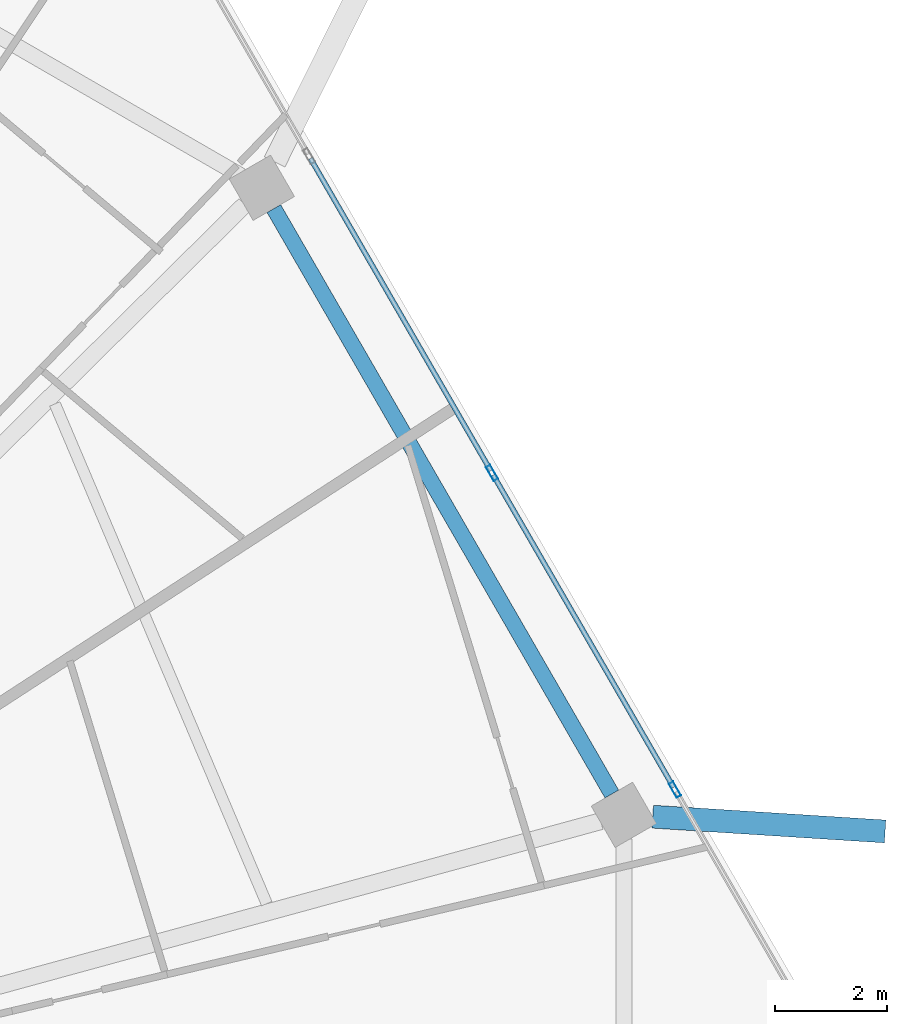
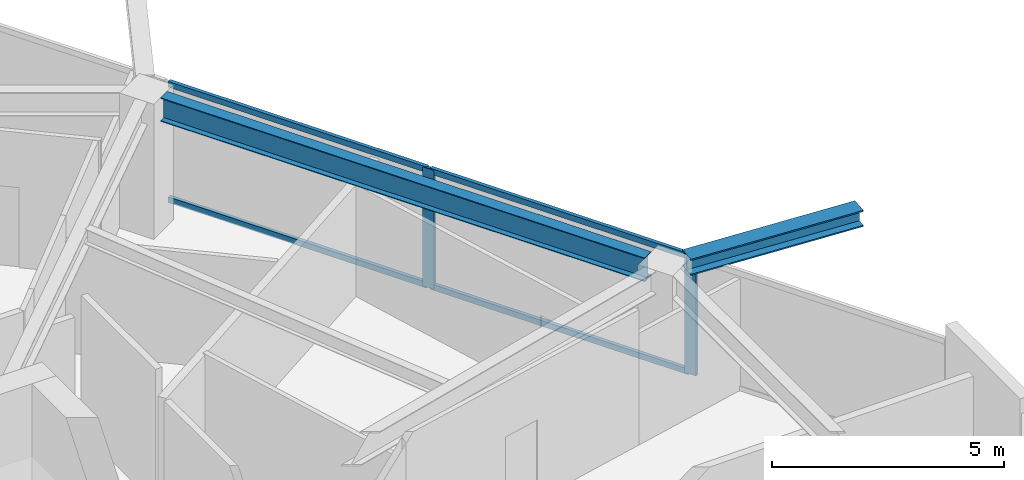
# One storey, part 16 of 26: 6 members, 2 beams, 1 element without a shape of its own.
"""IFC4 building model written with IfcOpenShell, lengths in metres."""

from ifc_helpers import new_model, si_unit, direction, frame, origin, origin_2d, place, context, subcontext, project, spatial, hollow_rectangle, i_section, extrude, material, material_profile, profile_set, type_object, element, aggregate, save


model = new_model("IFC4")

# Units and contexts
model_context = context("Model", 3, precision=1e-05, world=origin(), true_north=direction((0.0, 1.0)))
body_context = subcontext(model_context, "Body", "Model", "MODEL_VIEW")
ifc_project = project(units=[si_unit("LENGTHUNIT", "METRE"), si_unit("AREAUNIT", "SQUARE_METRE"), si_unit("VOLUMEUNIT", "CUBIC_METRE"), si_unit("PLANEANGLEUNIT", "RADIAN"), si_unit("MASSUNIT", "GRAM", prefix="KILO")], contexts=[model_context])

# Site, building, storey
site_placement = place(None, origin())
site = spatial("IfcSite", under=ifc_project, at=site_placement, CompositionType="ELEMENT")
building_placement = place(site_placement, origin())
building = spatial("IfcBuilding", under=site, at=building_placement, Name="Zuhravey Tower", CompositionType="ELEMENT")
storey_placement = place(building_placement, frame((0.0, 0.0, 288.199951171875)))
storey = spatial("IfcBuildingStorey", under=building, at=storey_placement, Name="L73", CompositionType="ELEMENT", Elevation=288.199951171875)

# Curtain wall, members
ifc_material_1 = material(Name="Thermally broken anodised aluminium", Category="aluminium")
curtain_wall_type = type_object("IfcCurtainWallType", Name="Zone 3-4 High-Rise Curtain Wall CW4", PredefinedType="NOTDEFINED", material=ifc_material_1)
curtain_wall_placement = place(storey_placement, origin())
curtain_wall = element("IfcCurtainWall", 1, at=curtain_wall_placement, inside=storey, type_object=curtain_wall_type, Name="L73 CW4 CW-L73-F1-1", PredefinedType="NOTDEFINED")
ifc_material_2 = material(Name="Anodised aluminium", Category="aluminium")
ifc_material_profile_1 = material_profile(ifc_material_2, hollow_rectangle(XDim=0.090087890625, YDim=0.284912109375, WallThickness=0.0048828125, at=origin_2d()), Name="ALU-RHS-90x285x5")
ifc_profile_set_1 = profile_set([ifc_material_profile_1], Name="Anodised aluminium")
member_type_1 = type_object("IfcMemberType", Name="Curtain-Wall Mullion 90x180", PredefinedType="MULLION", material=ifc_profile_set_1)
member_1_placement = place(storey_placement, frame((58.138671875, 44.78173828125, 0.0), z_axis=(0.0, 0.0, 1.0), x_axis=(0.866024851021, 0.500000957414, 0.0)))
member_1 = element("IfcMember", 2, at=member_1_placement, type_object=member_type_1, Name="CW4 mullion 3", PredefinedType="MULLION", context=body_context, shape_type="SweptSolid", body=[
    extrude(hollow_rectangle(XDim=0.090087890625, YDim=0.284912109375, WallThickness=0.0048828125, at=origin_2d()), origin(), (0.0, 0.0, 1.0), 3.1220703125),
])
member_2_placement = place(storey_placement, frame((61.391845703125, 39.147216796875, 0.0), z_axis=(0.0, 0.0, 1.0), x_axis=(0.866024851021, 0.500000957414, 0.0)))
member_2 = element("IfcMember", 3, at=member_2_placement, type_object=member_type_1, Name="CW4 mullion 4", PredefinedType="MULLION", context=body_context, shape_type="SweptSolid", body=[
    extrude(hollow_rectangle(XDim=0.090087890625, YDim=0.284912109375, WallThickness=0.0048828125, at=origin_2d()), origin(), (0.0, 0.0, 1.0), 3.1220703125),
])
ifc_material_profile_2 = material_profile(ifc_material_2, hollow_rectangle(XDim=0.090087890625, YDim=0.14990234375, WallThickness=0.0048828125, at=origin_2d()), Name="ALU-RHS-90x150x5")
ifc_profile_set_2 = profile_set([ifc_material_profile_2], Name="Anodised aluminium")
member_type_2 = type_object("IfcMemberType", Name="Curtain-Wall Transom 90x150", PredefinedType="USERDEFINED", material=ifc_profile_set_2)
member_3_placement = place(storey_placement, frame((54.907958984375, 50.37744140625, 0.045166015625), z_axis=(0.500014493347, -0.866017035885, 0.0), x_axis=(0.866017035885, 0.500014493347, 0.0)))
member_3 = element("IfcMember", 4, at=member_3_placement, type_object=member_type_2, Name="CW4 transom 2.1", ObjectType="TRANSOM", PredefinedType="USERDEFINED", context=body_context, shape_type="SweptSolid", body=[
    extrude(hollow_rectangle(XDim=0.090087890625, YDim=0.14990234375, WallThickness=0.0048828125, at=origin_2d()), origin(), (0.0, 0.0, 1.0), 6.416259765625),
])
member_4_placement = place(storey_placement, frame((54.907958984375, 50.37744140625, 3.0771484375), z_axis=(0.500014493347, -0.866017035885, 0.0), x_axis=(0.866017035885, 0.500014493347, 0.0)))
member_4 = element("IfcMember", 5, at=member_4_placement, type_object=member_type_2, Name="CW4 transom 2.2", ObjectType="TRANSOM", PredefinedType="USERDEFINED", context=body_context, shape_type="SweptSolid", body=[
    extrude(hollow_rectangle(XDim=0.090087890625, YDim=0.14990234375, WallThickness=0.0048828125, at=origin_2d()), origin(), (0.0, 0.0, 1.0), 6.416259765625),
])
member_5_placement = place(storey_placement, frame((58.1611328125, 44.742919921875, 0.045166015625), z_axis=(0.499998017366, -0.866026548456, 0.0), x_axis=(0.866026548456, 0.499998017366, 0.0)))
member_5 = element("IfcMember", 6, at=member_5_placement, type_object=member_type_2, Name="CW4 transom 3.1", ObjectType="TRANSOM", PredefinedType="USERDEFINED", context=body_context, shape_type="SweptSolid", body=[
    extrude(hollow_rectangle(XDim=0.090087890625, YDim=0.14990234375, WallThickness=0.0048828125, at=origin_2d()), origin(), (0.0, 0.0, 1.0), 6.41650390625),
])
member_6_placement = place(storey_placement, frame((58.1611328125, 44.742919921875, 3.0771484375), z_axis=(0.499998017366, -0.866026548456, 0.0), x_axis=(0.866026548456, 0.499998017366, 0.0)))
member_6 = element("IfcMember", 7, at=member_6_placement, type_object=member_type_2, Name="CW4 transom 3.2", ObjectType="TRANSOM", PredefinedType="USERDEFINED", context=body_context, shape_type="SweptSolid", body=[
    extrude(hollow_rectangle(XDim=0.090087890625, YDim=0.14990234375, WallThickness=0.0048828125, at=origin_2d()), origin(), (0.0, 0.0, 1.0), 6.41650390625),
])
aggregate(curtain_wall, [member_1, member_2, member_3, member_4, member_5, member_6])

# Beams
ifc_material_3 = material(Name="Steel SM460", Category="steel")
ifc_material_profile_3 = material_profile(ifc_material_3, i_section(OverallWidth=0.406982421875, OverallDepth=0.427978515625, WebThickness=0.02001953125, FlangeThickness=0.034912109375, at=origin_2d()), Name="H-428x407x20x35")
ifc_profile_set_3 = profile_set([ifc_material_profile_3], Name="Steel SM460")
beam_type_1 = type_object("IfcBeamType", Name="Exoskeleton Node Tie Beam H428x407", PredefinedType="BEAM", material=ifc_profile_set_3)
beam_1_placement = place(storey_placement, frame((60.998046875, 38.666259765625, 3.3359375), z_axis=(0.997987375352, -0.063412921689, 0.0), x_axis=(0.063412921689, 0.997987375352, 0.0)))
element("IfcBeam", 8, at=beam_1_placement, inside=storey, type_object=beam_type_1, Name="L73 Exoskeleton Node Tie NT1-01", PredefinedType="BEAM", context=body_context, shape_type="SweptSolid", body=[
    extrude(i_section(OverallWidth=0.406982421875, OverallDepth=0.427978515625, WebThickness=0.02001953125, FlangeThickness=0.034912109375, at=origin_2d()), origin(), (0.0, 0.0, 1.0), 4.142578125),
])
ifc_material_4 = material(Name="Steel SM355", Category="steel")
ifc_material_profile_4 = material_profile(ifc_material_4, i_section(OverallWidth=0.280029296875, OverallDepth=0.6201171875, WebThickness=0.011962890625, FlangeThickness=0.02001953125, at=origin_2d()), Name="H-620x280x12x20")
ifc_profile_set_4 = profile_set([ifc_material_profile_4], Name="Steel SM355")
beam_type_2 = type_object("IfcBeamType", Name="Perimeter Ring Beam H620x280", PredefinedType="BEAM", material=ifc_profile_set_4)
beam_2_placement = place(storey_placement, frame((60.2705078125, 39.069580078125, 3.239990234375), z_axis=(-0.500005971936, 0.866021955858, 0.0), x_axis=(-0.866021955858, -0.500005971936, 0.0)))
element("IfcBeam", 9, at=beam_2_placement, inside=storey, type_object=beam_type_2, Name="L73 PB3 BM-L73-PB-01", PredefinedType="BEAM", context=body_context, shape_type="SweptSolid", body=[
    extrude(i_section(OverallWidth=0.280029296875, OverallDepth=0.6201171875, WebThickness=0.011962890625, FlangeThickness=0.02001953125, at=origin_2d()), origin(), (0.0, 0.0, 1.0), 12.025634765625),
])

save(model, "model.ifc")
